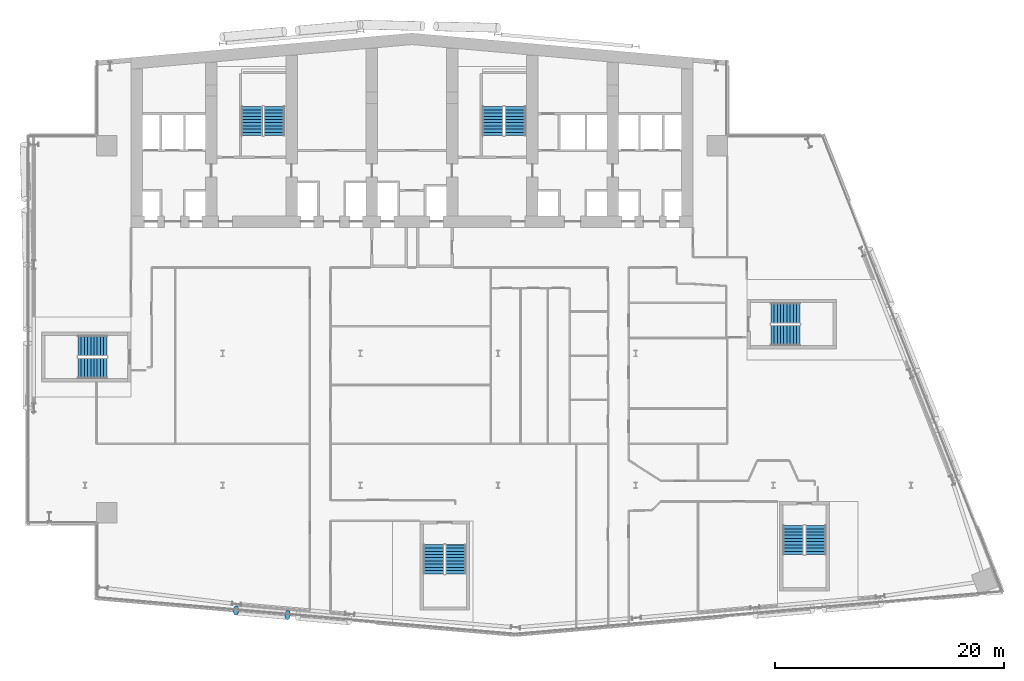
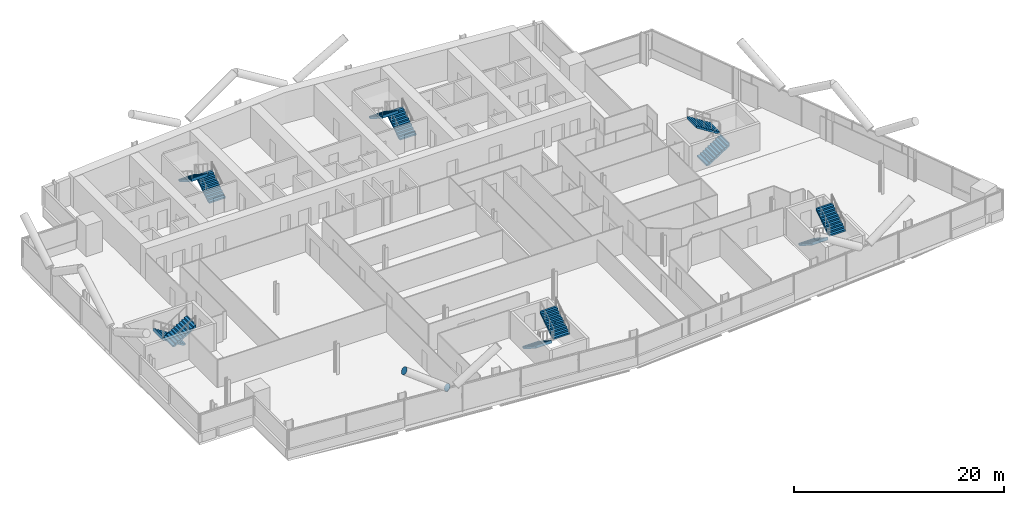
# One storey, part 20 of 27: 12 stair flights, 2 discrete accessories, 6 elements without a shape of their own.
"""IFC4 building model written with IfcOpenShell, lengths in metres."""

from ifc_helpers import new_model, si_unit, direction, frame, origin, origin_2d, place, context, subcontext, project, spatial, polyline, circle, outline, extrude, material, material_profile, profile_set, type_object, element, aggregate, save


model = new_model("IFC4")

# Units and contexts
model_context = context("Model", 3, precision=1e-05, world=origin(), true_north=direction((0.0, 1.0)))
body_context = subcontext(model_context, "Body", "Model", "MODEL_VIEW")
ifc_project = project(units=[si_unit("LENGTHUNIT", "METRE"), si_unit("AREAUNIT", "SQUARE_METRE"), si_unit("VOLUMEUNIT", "CUBIC_METRE"), si_unit("PLANEANGLEUNIT", "RADIAN"), si_unit("MASSUNIT", "GRAM", prefix="KILO")], contexts=[model_context])

# Site, building, storey
site_placement = place(None, origin())
site = spatial("IfcSite", under=ifc_project, at=site_placement, CompositionType="ELEMENT")
building_placement = place(site_placement, origin())
building = spatial("IfcBuilding", under=site, at=building_placement, Name="Wharfspan Tower", CompositionType="ELEMENT")
storey_placement = place(building_placement, frame((0.0, 0.0, 111.100098)))
storey = spatial("IfcBuildingStorey", under=building, at=storey_placement, Name="L25", CompositionType="ELEMENT", Elevation=111.100098)

# Stair, stair flights
ifc_material_1 = material(Name="Concrete C40/50", Category="concrete")
stair_type = type_object("IfcStairType", Name="Half-turn stair 20 risers 180 mm", PredefinedType="HALF_TURN_STAIR", material=ifc_material_1)
stair_1_placement = place(storey_placement, origin())
stair_1 = element("IfcStair", 1, at=stair_1_placement, inside=storey, type_object=stair_type, Name="L25 stair ST1", PredefinedType="HALF_TURN_STAIR")
stair_flight_type = type_object("IfcStairFlightType", Name="Stair flight 20 risers 180 mm", PredefinedType="STRAIGHT", material=ifc_material_1)
stair_flight_1_placement = place(storey_placement, frame((28.5, 42.0, 0.0), z_axis=(0.0, 0.0, 1.0), x_axis=(0.0, 1.0, 0.0)))
stair_flight_1 = element("IfcStairFlight", 2, at=stair_flight_1_placement, type_object=stair_flight_type, Name="ST1 flight 1", NumberOfRisers=10, NumberOfTreads=9, PredefinedType="STRAIGHT", RiserHeight=0.18, TreadLength=0.28, context=body_context, shape_type="SweptSolid", body=[
    extrude(outline(polyline([(-0.011963, 0.0), (-0.011963, 0.179932), (0.0, 0.179932), (0.280029, 0.179932), (0.280029, 0.360107), (0.560059, 0.360107), (0.560059, 0.540039), (0.840088, 0.540039), (0.840088, 0.719971), (1.120117, 0.719971), (1.120117, 0.899902), (1.399902, 0.899902), (1.399902, 1.080078), (1.679932, 1.080078), (1.679932, 1.26001), (1.959961, 1.26001), (1.959961, 1.439941), (2.23999, 1.439941), (2.23999, 1.620117), (2.52002, 1.620117), (2.531982, 1.800049), (2.531982, 1.441895), (0.2771, 0.0), (-0.011963, 0.0)])), frame((0.0, 0.899902, 0.0), z_axis=(0.0, -1.0, 0.0), x_axis=(1.0, 0.0, 0.0)), (0.0, 0.0, 1.0), 0.899414),
    extrude(outline(polyline([(-0.011963, 0.0), (-0.011963, 0.179932), (0.0, 0.179932), (0.280029, 0.179932), (0.280029, 0.360107), (0.560059, 0.360107), (0.560059, 0.540039), (0.840088, 0.540039), (0.840088, 0.719971), (1.120117, 0.719971), (1.120117, 0.899902), (1.399902, 0.899902), (1.399902, 1.080078), (1.679932, 1.080078), (1.679932, 1.26001), (1.959961, 1.26001), (1.959961, 1.439941), (2.23999, 1.439941), (2.23999, 1.620117), (2.52002, 1.620117), (2.531982, 1.800049), (2.531982, 1.441895), (0.2771, 0.0), (-0.011963, 0.0)])), frame((0.0, -0.000488, 0.0), z_axis=(0.0, -1.0, 0.0), x_axis=(1.0, 0.0, 0.0)), (0.0, 0.0, 1.0), 0.899414),
])
stair_flight_2_placement = place(storey_placement, frame((26.550049, 44.52002, 1.799805), z_axis=(0.0, 0.0, 1.0), x_axis=(0.0, -1.0, 0.0)))
stair_flight_2 = element("IfcStairFlight", 3, at=stair_flight_2_placement, type_object=stair_flight_type, Name="ST1 flight 2", NumberOfRisers=10, NumberOfTreads=9, PredefinedType="STRAIGHT", RiserHeight=0.18, TreadLength=0.28, context=body_context, shape_type="SweptSolid", body=[
    extrude(outline(polyline([(-0.011963, 0.0), (-0.011963, 0.179932), (0.0, 0.179932), (0.280029, 0.179932), (0.280029, 0.360107), (0.560059, 0.360107), (0.560059, 0.540039), (0.840088, 0.540039), (0.840088, 0.719971), (1.120117, 0.719971), (1.120117, 0.899902), (1.399902, 0.899902), (1.399902, 1.080078), (1.679932, 1.080078), (1.679932, 1.26001), (1.959961, 1.26001), (1.959961, 1.439941), (2.23999, 1.439941), (2.23999, 1.620117), (2.52002, 1.620117), (2.531982, 1.800049), (2.531982, 1.441895), (0.2771, 0.0), (-0.011963, 0.0)])), frame((0.0, 0.899902, 0.0), z_axis=(0.0, -1.0, 0.0), x_axis=(1.0, 0.0, 0.0)), (0.0, 0.0, 1.0), 0.899414),
    extrude(outline(polyline([(-0.011963, 0.0), (-0.011963, 0.179932), (0.0, 0.179932), (0.280029, 0.179932), (0.280029, 0.360107), (0.560059, 0.360107), (0.560059, 0.540039), (0.840088, 0.540039), (0.840088, 0.719971), (1.120117, 0.719971), (1.120117, 0.899902), (1.399902, 0.899902), (1.399902, 1.080078), (1.679932, 1.080078), (1.679932, 1.26001), (1.959961, 1.26001), (1.959961, 1.439941), (2.23999, 1.439941), (2.23999, 1.620117), (2.52002, 1.620117), (2.531982, 1.800049), (2.531982, 1.441895), (0.2771, 0.0), (-0.011963, 0.0)])), frame((0.0, -0.000488, 0.0), z_axis=(0.0, -1.0, 0.0), x_axis=(1.0, 0.0, 0.0)), (0.0, 0.0, 1.0), 0.899414),
])
aggregate(stair_1, [stair_flight_1, stair_flight_2])

stair_2_placement = place(storey_placement, origin())
stair_2 = element("IfcStair", 4, at=stair_2_placement, inside=storey, type_object=stair_type, Name="L25 stair ST2", PredefinedType="HALF_TURN_STAIR")
stair_flight_3_placement = place(storey_placement, frame((49.5, 42.0, 0.0), z_axis=(0.0, 0.0, 1.0), x_axis=(0.0, 1.0, 0.0)))
stair_flight_3 = element("IfcStairFlight", 5, at=stair_flight_3_placement, type_object=stair_flight_type, Name="ST2 flight 1", NumberOfRisers=10, NumberOfTreads=9, PredefinedType="STRAIGHT", RiserHeight=0.18, TreadLength=0.28, context=body_context, shape_type="SweptSolid", body=[
    extrude(outline(polyline([(-0.011963, 0.0), (-0.011963, 0.179932), (0.0, 0.179932), (0.280029, 0.179932), (0.280029, 0.360107), (0.560059, 0.360107), (0.560059, 0.540039), (0.840088, 0.540039), (0.840088, 0.719971), (1.120117, 0.719971), (1.120117, 0.899902), (1.399902, 0.899902), (1.399902, 1.080078), (1.679932, 1.080078), (1.679932, 1.26001), (1.959961, 1.26001), (1.959961, 1.439941), (2.23999, 1.439941), (2.23999, 1.620117), (2.52002, 1.620117), (2.531982, 1.800049), (2.531982, 1.441895), (0.2771, 0.0), (-0.011963, 0.0)])), frame((0.0, 0.899902, 0.0), z_axis=(0.0, -1.0, 0.0), x_axis=(1.0, 0.0, 0.0)), (0.0, 0.0, 1.0), 0.899414),
    extrude(outline(polyline([(-0.011963, 0.0), (-0.011963, 0.179932), (0.0, 0.179932), (0.280029, 0.179932), (0.280029, 0.360107), (0.560059, 0.360107), (0.560059, 0.540039), (0.840088, 0.540039), (0.840088, 0.719971), (1.120117, 0.719971), (1.120117, 0.899902), (1.399902, 0.899902), (1.399902, 1.080078), (1.679932, 1.080078), (1.679932, 1.26001), (1.959961, 1.26001), (1.959961, 1.439941), (2.23999, 1.439941), (2.23999, 1.620117), (2.52002, 1.620117), (2.531982, 1.800049), (2.531982, 1.441895), (0.2771, 0.0), (-0.011963, 0.0)])), frame((0.0, -0.000488, 0.0), z_axis=(0.0, -1.0, 0.0), x_axis=(1.0, 0.0, 0.0)), (0.0, 0.0, 1.0), 0.899414),
])
stair_flight_4_placement = place(storey_placement, frame((47.550049, 44.52002, 1.799805), z_axis=(0.0, 0.0, 1.0), x_axis=(0.0, -1.0, 0.0)))
stair_flight_4 = element("IfcStairFlight", 6, at=stair_flight_4_placement, type_object=stair_flight_type, Name="ST2 flight 2", NumberOfRisers=10, NumberOfTreads=9, PredefinedType="STRAIGHT", RiserHeight=0.18, TreadLength=0.28, context=body_context, shape_type="SweptSolid", body=[
    extrude(outline(polyline([(-0.011963, 0.0), (-0.011963, 0.179932), (0.0, 0.179932), (0.280029, 0.179932), (0.280029, 0.360107), (0.560059, 0.360107), (0.560059, 0.540039), (0.840088, 0.540039), (0.840088, 0.719971), (1.120117, 0.719971), (1.120117, 0.899902), (1.399902, 0.899902), (1.399902, 1.080078), (1.679932, 1.080078), (1.679932, 1.26001), (1.959961, 1.26001), (1.959961, 1.439941), (2.23999, 1.439941), (2.23999, 1.620117), (2.52002, 1.620117), (2.531982, 1.800049), (2.531982, 1.441895), (0.2771, 0.0), (-0.011963, 0.0)])), frame((0.0, 0.899902, 0.0), z_axis=(0.0, -1.0, 0.0), x_axis=(1.0, 0.0, 0.0)), (0.0, 0.0, 1.0), 0.899414),
    extrude(outline(polyline([(-0.011963, 0.0), (-0.011963, 0.179932), (0.0, 0.179932), (0.280029, 0.179932), (0.280029, 0.360107), (0.560059, 0.360107), (0.560059, 0.540039), (0.840088, 0.540039), (0.840088, 0.719971), (1.120117, 0.719971), (1.120117, 0.899902), (1.399902, 0.899902), (1.399902, 1.080078), (1.679932, 1.080078), (1.679932, 1.26001), (1.959961, 1.26001), (1.959961, 1.439941), (2.23999, 1.439941), (2.23999, 1.620117), (2.52002, 1.620117), (2.531982, 1.800049), (2.531982, 1.441895), (0.2771, 0.0), (-0.011963, 0.0)])), frame((0.0, -0.000488, 0.0), z_axis=(0.0, -1.0, 0.0), x_axis=(1.0, 0.0, 0.0)), (0.0, 0.0, 1.0), 0.899414),
])
aggregate(stair_2, [stair_flight_3, stair_flight_4])

stair_3_placement = place(storey_placement, origin())
stair_3 = element("IfcStair", 7, at=stair_3_placement, inside=storey, type_object=stair_type, Name="L25 stair ST3", PredefinedType="HALF_TURN_STAIR")
stair_flight_5_placement = place(storey_placement, frame((13.899902, 23.675049, 0.0), z_axis=(0.0, 0.0, 1.0), x_axis=(-1.0, 0.0, 0.0)))
stair_flight_5 = element("IfcStairFlight", 8, at=stair_flight_5_placement, type_object=stair_flight_type, Name="ST3 flight 1", NumberOfRisers=10, NumberOfTreads=9, PredefinedType="STRAIGHT", RiserHeight=0.18, TreadLength=0.28, context=body_context, shape_type="SweptSolid", body=[
    extrude(outline(polyline([(-0.011963, 0.0), (-0.011963, 0.179932), (0.0, 0.179932), (0.280029, 0.179932), (0.280029, 0.360107), (0.560059, 0.360107), (0.560059, 0.540039), (0.840088, 0.540039), (0.840088, 0.719971), (1.120117, 0.719971), (1.120117, 0.899902), (1.399902, 0.899902), (1.399902, 1.080078), (1.679932, 1.080078), (1.679932, 1.26001), (1.959961, 1.26001), (1.959961, 1.439941), (2.23999, 1.439941), (2.23999, 1.620117), (2.52002, 1.620117), (2.531982, 1.800049), (2.531982, 1.441895), (0.2771, 0.0), (-0.011963, 0.0)])), frame((0.0, 0.899902, 0.0), z_axis=(0.0, -1.0, 0.0), x_axis=(1.0, 0.0, 0.0)), (0.0, 0.0, 1.0), 0.899414),
    extrude(outline(polyline([(-0.011963, 0.0), (-0.011963, 0.179932), (0.0, 0.179932), (0.280029, 0.179932), (0.280029, 0.360107), (0.560059, 0.360107), (0.560059, 0.540039), (0.840088, 0.540039), (0.840088, 0.719971), (1.120117, 0.719971), (1.120117, 0.899902), (1.399902, 0.899902), (1.399902, 1.080078), (1.679932, 1.080078), (1.679932, 1.26001), (1.959961, 1.26001), (1.959961, 1.439941), (2.23999, 1.439941), (2.23999, 1.620117), (2.52002, 1.620117), (2.531982, 1.800049), (2.531982, 1.441895), (0.2771, 0.0), (-0.011963, 0.0)])), frame((0.0, -0.000488, 0.0), z_axis=(0.0, -1.0, 0.0), x_axis=(1.0, 0.0, 0.0)), (0.0, 0.0, 1.0), 0.899414),
])
stair_flight_6_placement = place(storey_placement, frame((11.379883, 21.725098, 1.799805), z_axis=(0.0, 0.0, 1.0), x_axis=(1.0, 0.0, 0.0)))
stair_flight_6 = element("IfcStairFlight", 9, at=stair_flight_6_placement, type_object=stair_flight_type, Name="ST3 flight 2", NumberOfRisers=10, NumberOfTreads=9, PredefinedType="STRAIGHT", RiserHeight=0.18, TreadLength=0.28, context=body_context, shape_type="SweptSolid", body=[
    extrude(outline(polyline([(-0.011963, 0.0), (-0.011963, 0.179932), (0.0, 0.179932), (0.280029, 0.179932), (0.280029, 0.360107), (0.560059, 0.360107), (0.560059, 0.540039), (0.840088, 0.540039), (0.840088, 0.719971), (1.120117, 0.719971), (1.120117, 0.899902), (1.399902, 0.899902), (1.399902, 1.080078), (1.679932, 1.080078), (1.679932, 1.26001), (1.959961, 1.26001), (1.959961, 1.439941), (2.23999, 1.439941), (2.23999, 1.620117), (2.52002, 1.620117), (2.531982, 1.800049), (2.531982, 1.441895), (0.2771, 0.0), (-0.011963, 0.0)])), frame((0.0, 0.899902, 0.0), z_axis=(0.0, -1.0, 0.0), x_axis=(1.0, 0.0, 0.0)), (0.0, 0.0, 1.0), 0.899414),
    extrude(outline(polyline([(-0.011963, 0.0), (-0.011963, 0.179932), (0.0, 0.179932), (0.280029, 0.179932), (0.280029, 0.360107), (0.560059, 0.360107), (0.560059, 0.540039), (0.840088, 0.540039), (0.840088, 0.719971), (1.120117, 0.719971), (1.120117, 0.899902), (1.399902, 0.899902), (1.399902, 1.080078), (1.679932, 1.080078), (1.679932, 1.26001), (1.959961, 1.26001), (1.959961, 1.439941), (2.23999, 1.439941), (2.23999, 1.620117), (2.52002, 1.620117), (2.531982, 1.800049), (2.531982, 1.441895), (0.2771, 0.0), (-0.011963, 0.0)])), frame((0.0, -0.000488, 0.0), z_axis=(0.0, -1.0, 0.0), x_axis=(1.0, 0.0, 0.0)), (0.0, 0.0, 1.0), 0.899414),
])
aggregate(stair_3, [stair_flight_5, stair_flight_6])

stair_4_placement = place(storey_placement, origin())
stair_4 = element("IfcStair", 10, at=stair_4_placement, inside=storey, type_object=stair_type, Name="L25 stair ST4", PredefinedType="HALF_TURN_STAIR")
stair_flight_7_placement = place(storey_placement, frame((42.385254, 6.316895, 0.0), z_axis=(0.0, 0.0, 1.0), x_axis=(0.0, -1.0, 0.0)))
stair_flight_7 = element("IfcStairFlight", 11, at=stair_flight_7_placement, type_object=stair_flight_type, Name="ST4 flight 1", NumberOfRisers=10, NumberOfTreads=9, PredefinedType="STRAIGHT", RiserHeight=0.18, TreadLength=0.28, context=body_context, shape_type="SweptSolid", body=[
    extrude(outline(polyline([(-0.011963, 0.0), (-0.011963, 0.179932), (0.0, 0.179932), (0.280029, 0.179932), (0.280029, 0.360107), (0.560059, 0.360107), (0.560059, 0.540039), (0.840088, 0.540039), (0.840088, 0.719971), (1.120117, 0.719971), (1.120117, 0.899902), (1.399902, 0.899902), (1.399902, 1.080078), (1.679932, 1.080078), (1.679932, 1.26001), (1.959961, 1.26001), (1.959961, 1.439941), (2.23999, 1.439941), (2.23999, 1.620117), (2.52002, 1.620117), (2.531982, 1.800049), (2.531982, 1.441895), (0.2771, 0.0), (-0.011963, 0.0)])), frame((0.0, 0.899902, 0.0), z_axis=(0.0, -1.0, 0.0), x_axis=(1.0, 0.0, 0.0)), (0.0, 0.0, 1.0), 0.899414),
    extrude(outline(polyline([(-0.011963, 0.0), (-0.011963, 0.179932), (0.0, 0.179932), (0.280029, 0.179932), (0.280029, 0.360107), (0.560059, 0.360107), (0.560059, 0.540039), (0.840088, 0.540039), (0.840088, 0.719971), (1.120117, 0.719971), (1.120117, 0.899902), (1.399902, 0.899902), (1.399902, 1.080078), (1.679932, 1.080078), (1.679932, 1.26001), (1.959961, 1.26001), (1.959961, 1.439941), (2.23999, 1.439941), (2.23999, 1.620117), (2.52002, 1.620117), (2.531982, 1.800049), (2.531982, 1.441895), (0.2771, 0.0), (-0.011963, 0.0)])), frame((0.0, -0.000488, 0.0), z_axis=(0.0, -1.0, 0.0), x_axis=(1.0, 0.0, 0.0)), (0.0, 0.0, 1.0), 0.899414),
])
stair_flight_8_placement = place(storey_placement, frame((44.335205, 3.796875, 1.799805), z_axis=(0.0, 0.0, 1.0), x_axis=(0.0, 1.0, 0.0)))
stair_flight_8 = element("IfcStairFlight", 12, at=stair_flight_8_placement, type_object=stair_flight_type, Name="ST4 flight 2", NumberOfRisers=10, NumberOfTreads=9, PredefinedType="STRAIGHT", RiserHeight=0.18, TreadLength=0.28, context=body_context, shape_type="SweptSolid", body=[
    extrude(outline(polyline([(-0.011963, 0.0), (-0.011963, 0.179932), (0.0, 0.179932), (0.280029, 0.179932), (0.280029, 0.360107), (0.560059, 0.360107), (0.560059, 0.540039), (0.840088, 0.540039), (0.840088, 0.719971), (1.120117, 0.719971), (1.120117, 0.899902), (1.399902, 0.899902), (1.399902, 1.080078), (1.679932, 1.080078), (1.679932, 1.26001), (1.959961, 1.26001), (1.959961, 1.439941), (2.23999, 1.439941), (2.23999, 1.620117), (2.52002, 1.620117), (2.531982, 1.800049), (2.531982, 1.441895), (0.2771, 0.0), (-0.011963, 0.0)])), frame((0.0, 0.899902, 0.0), z_axis=(0.0, -1.0, 0.0), x_axis=(1.0, 0.0, 0.0)), (0.0, 0.0, 1.0), 0.899414),
    extrude(outline(polyline([(-0.011963, 0.0), (-0.011963, 0.179932), (0.0, 0.179932), (0.280029, 0.179932), (0.280029, 0.360107), (0.560059, 0.360107), (0.560059, 0.540039), (0.840088, 0.540039), (0.840088, 0.719971), (1.120117, 0.719971), (1.120117, 0.899902), (1.399902, 0.899902), (1.399902, 1.080078), (1.679932, 1.080078), (1.679932, 1.26001), (1.959961, 1.26001), (1.959961, 1.439941), (2.23999, 1.439941), (2.23999, 1.620117), (2.52002, 1.620117), (2.531982, 1.800049), (2.531982, 1.441895), (0.2771, 0.0), (-0.011963, 0.0)])), frame((0.0, -0.000488, 0.0), z_axis=(0.0, -1.0, 0.0), x_axis=(1.0, 0.0, 0.0)), (0.0, 0.0, 1.0), 0.899414),
])
aggregate(stair_4, [stair_flight_7, stair_flight_8])

stair_5_placement = place(storey_placement, origin())
stair_5 = element("IfcStair", 13, at=stair_5_placement, inside=storey, type_object=stair_type, Name="L25 stair ST5", PredefinedType="HALF_TURN_STAIR")
stair_flight_9_placement = place(storey_placement, frame((73.740967, 7.994629, 0.0), z_axis=(0.0, 0.0, 1.0), x_axis=(0.0, -1.0, 0.0)))
stair_flight_9 = element("IfcStairFlight", 14, at=stair_flight_9_placement, type_object=stair_flight_type, Name="ST5 flight 1", NumberOfRisers=10, NumberOfTreads=9, PredefinedType="STRAIGHT", RiserHeight=0.18, TreadLength=0.28, context=body_context, shape_type="SweptSolid", body=[
    extrude(outline(polyline([(-0.011963, 0.0), (-0.011963, 0.179932), (0.0, 0.179932), (0.280029, 0.179932), (0.280029, 0.360107), (0.560059, 0.360107), (0.560059, 0.540039), (0.840088, 0.540039), (0.840088, 0.719971), (1.120117, 0.719971), (1.120117, 0.899902), (1.399902, 0.899902), (1.399902, 1.080078), (1.679932, 1.080078), (1.679932, 1.26001), (1.959961, 1.26001), (1.959961, 1.439941), (2.23999, 1.439941), (2.23999, 1.620117), (2.52002, 1.620117), (2.531982, 1.800049), (2.531982, 1.441895), (0.2771, 0.0), (-0.011963, 0.0)])), frame((0.0, 0.899902, 0.0), z_axis=(0.0, -1.0, 0.0), x_axis=(1.0, 0.0, 0.0)), (0.0, 0.0, 1.0), 0.899414),
    extrude(outline(polyline([(-0.011963, 0.0), (-0.011963, 0.179932), (0.0, 0.179932), (0.280029, 0.179932), (0.280029, 0.360107), (0.560059, 0.360107), (0.560059, 0.540039), (0.840088, 0.540039), (0.840088, 0.719971), (1.120117, 0.719971), (1.120117, 0.899902), (1.399902, 0.899902), (1.399902, 1.080078), (1.679932, 1.080078), (1.679932, 1.26001), (1.959961, 1.26001), (1.959961, 1.439941), (2.23999, 1.439941), (2.23999, 1.620117), (2.52002, 1.620117), (2.531982, 1.800049), (2.531982, 1.441895), (0.2771, 0.0), (-0.011963, 0.0)])), frame((0.0, -0.000488, 0.0), z_axis=(0.0, -1.0, 0.0), x_axis=(1.0, 0.0, 0.0)), (0.0, 0.0, 1.0), 0.899414),
])
stair_flight_10_placement = place(storey_placement, frame((75.690918, 5.474609, 1.799805), z_axis=(0.0, 0.0, 1.0), x_axis=(0.0, 1.0, 0.0)))
stair_flight_10 = element("IfcStairFlight", 15, at=stair_flight_10_placement, type_object=stair_flight_type, Name="ST5 flight 2", NumberOfRisers=10, NumberOfTreads=9, PredefinedType="STRAIGHT", RiserHeight=0.18, TreadLength=0.28, context=body_context, shape_type="SweptSolid", body=[
    extrude(outline(polyline([(-0.011963, 0.0), (-0.011963, 0.179932), (0.0, 0.179932), (0.280029, 0.179932), (0.280029, 0.360107), (0.560059, 0.360107), (0.560059, 0.540039), (0.840088, 0.540039), (0.840088, 0.719971), (1.120117, 0.719971), (1.120117, 0.899902), (1.399902, 0.899902), (1.399902, 1.080078), (1.679932, 1.080078), (1.679932, 1.26001), (1.959961, 1.26001), (1.959961, 1.439941), (2.23999, 1.439941), (2.23999, 1.620117), (2.52002, 1.620117), (2.531982, 1.800049), (2.531982, 1.441895), (0.2771, 0.0), (-0.011963, 0.0)])), frame((0.0, 0.899902, 0.0), z_axis=(0.0, -1.0, 0.0), x_axis=(1.0, 0.0, 0.0)), (0.0, 0.0, 1.0), 0.899414),
    extrude(outline(polyline([(-0.011963, 0.0), (-0.011963, 0.179932), (0.0, 0.179932), (0.280029, 0.179932), (0.280029, 0.360107), (0.560059, 0.360107), (0.560059, 0.540039), (0.840088, 0.540039), (0.840088, 0.719971), (1.120117, 0.719971), (1.120117, 0.899902), (1.399902, 0.899902), (1.399902, 1.080078), (1.679932, 1.080078), (1.679932, 1.26001), (1.959961, 1.26001), (1.959961, 1.439941), (2.23999, 1.439941), (2.23999, 1.620117), (2.52002, 1.620117), (2.531982, 1.800049), (2.531982, 1.441895), (0.2771, 0.0), (-0.011963, 0.0)])), frame((0.0, -0.000488, 0.0), z_axis=(0.0, -1.0, 0.0), x_axis=(1.0, 0.0, 0.0)), (0.0, 0.0, 1.0), 0.899414),
])
aggregate(stair_5, [stair_flight_9, stair_flight_10])

stair_6_placement = place(storey_placement, origin())
stair_6 = element("IfcStair", 16, at=stair_6_placement, inside=storey, type_object=stair_type, Name="L25 stair ST6", PredefinedType="HALF_TURN_STAIR")
stair_flight_11_placement = place(storey_placement, frame((71.790283, 24.574951, 0.0), z_axis=(0.0, 0.0, 1.0), x_axis=(1.0, 0.0, 0.0)))
stair_flight_11 = element("IfcStairFlight", 17, at=stair_flight_11_placement, type_object=stair_flight_type, Name="ST6 flight 1", NumberOfRisers=10, NumberOfTreads=9, PredefinedType="STRAIGHT", RiserHeight=0.18, TreadLength=0.28, context=body_context, shape_type="SweptSolid", body=[
    extrude(outline(polyline([(-0.011963, 0.0), (-0.011963, 0.179932), (0.0, 0.179932), (0.280029, 0.179932), (0.280029, 0.360107), (0.560059, 0.360107), (0.560059, 0.540039), (0.840088, 0.540039), (0.840088, 0.719971), (1.120117, 0.719971), (1.120117, 0.899902), (1.399902, 0.899902), (1.399902, 1.080078), (1.679932, 1.080078), (1.679932, 1.26001), (1.959961, 1.26001), (1.959961, 1.439941), (2.23999, 1.439941), (2.23999, 1.620117), (2.52002, 1.620117), (2.531982, 1.800049), (2.531982, 1.441895), (0.2771, 0.0), (-0.011963, 0.0)])), frame((0.0, 0.899902, 0.0), z_axis=(0.0, -1.0, 0.0), x_axis=(1.0, 0.0, 0.0)), (0.0, 0.0, 1.0), 0.899414),
    extrude(outline(polyline([(-0.011963, 0.0), (-0.011963, 0.179932), (0.0, 0.179932), (0.280029, 0.179932), (0.280029, 0.360107), (0.560059, 0.360107), (0.560059, 0.540039), (0.840088, 0.540039), (0.840088, 0.719971), (1.120117, 0.719971), (1.120117, 0.899902), (1.399902, 0.899902), (1.399902, 1.080078), (1.679932, 1.080078), (1.679932, 1.26001), (1.959961, 1.26001), (1.959961, 1.439941), (2.23999, 1.439941), (2.23999, 1.620117), (2.52002, 1.620117), (2.531982, 1.800049), (2.531982, 1.441895), (0.2771, 0.0), (-0.011963, 0.0)])), frame((0.0, -0.000488, 0.0), z_axis=(0.0, -1.0, 0.0), x_axis=(1.0, 0.0, 0.0)), (0.0, 0.0, 1.0), 0.899414),
])
stair_flight_12_placement = place(storey_placement, frame((74.310303, 26.524902, 1.799805), z_axis=(0.0, 0.0, 1.0), x_axis=(-1.0, 0.0, 0.0)))
stair_flight_12 = element("IfcStairFlight", 18, at=stair_flight_12_placement, type_object=stair_flight_type, Name="ST6 flight 2", NumberOfRisers=10, NumberOfTreads=9, PredefinedType="STRAIGHT", RiserHeight=0.18, TreadLength=0.28, context=body_context, shape_type="SweptSolid", body=[
    extrude(outline(polyline([(-0.011963, 0.0), (-0.011963, 0.179932), (0.0, 0.179932), (0.280029, 0.179932), (0.280029, 0.360107), (0.560059, 0.360107), (0.560059, 0.540039), (0.840088, 0.540039), (0.840088, 0.719971), (1.120117, 0.719971), (1.120117, 0.899902), (1.399902, 0.899902), (1.399902, 1.080078), (1.679932, 1.080078), (1.679932, 1.26001), (1.959961, 1.26001), (1.959961, 1.439941), (2.23999, 1.439941), (2.23999, 1.620117), (2.52002, 1.620117), (2.531982, 1.800049), (2.531982, 1.441895), (0.2771, 0.0), (-0.011963, 0.0)])), frame((0.0, 0.899902, 0.0), z_axis=(0.0, -1.0, 0.0), x_axis=(1.0, 0.0, 0.0)), (0.0, 0.0, 1.0), 0.899414),
    extrude(outline(polyline([(-0.011963, 0.0), (-0.011963, 0.179932), (0.0, 0.179932), (0.280029, 0.179932), (0.280029, 0.360107), (0.560059, 0.360107), (0.560059, 0.540039), (0.840088, 0.540039), (0.840088, 0.719971), (1.120117, 0.719971), (1.120117, 0.899902), (1.399902, 0.899902), (1.399902, 1.080078), (1.679932, 1.080078), (1.679932, 1.26001), (1.959961, 1.26001), (1.959961, 1.439941), (2.23999, 1.439941), (2.23999, 1.620117), (2.52002, 1.620117), (2.531982, 1.800049), (2.531982, 1.441895), (0.2771, 0.0), (-0.011963, 0.0)])), frame((0.0, -0.000488, 0.0), z_axis=(0.0, -1.0, 0.0), x_axis=(1.0, 0.0, 0.0)), (0.0, 0.0, 1.0), 0.899414),
])
aggregate(stair_6, [stair_flight_11, stair_flight_12])

# Discrete accessories
ifc_material_2 = material(Name="Steel S460NH", Category="steel")
ifc_material_profile = material_profile(ifc_material_2, circle(Radius=0.406494, at=origin_2d()))
ifc_profile_set = profile_set([ifc_material_profile], Name="Steel S460NH")
discrete_accessory_type = type_object("IfcDiscreteAccessoryType", Name="End plate CHS 813x40", PredefinedType="BRACKET", material=ifc_profile_set)
for number, where, z_axis, x_axis, name in (
    (19, (29.662842, 0.202148, 3.220947), (-0.806559, 0.073324, 0.586588), (-0.090536, -0.99589, 0.0), "End plate CHS 813x40"),
    (20, (25.165283, 0.595703, 6.5), (-0.806559, 0.073324, 0.586588), (-0.090536, -0.99589, 0.0), "End plate CHS 813x40"),
):
    element("IfcDiscreteAccessory", number, at=place(storey_placement, frame(where, z_axis=z_axis, x_axis=x_axis)), inside=storey, type_object=discrete_accessory_type, Name=name, PredefinedType="BRACKET", context=body_context, shape_type="SweptSolid", body=[
        extrude(circle(Radius=0.406494, at=origin_2d()), origin(), (0.0, 0.0, 1.0), 0.01001),
    ])

save(model, "model.ifc")
